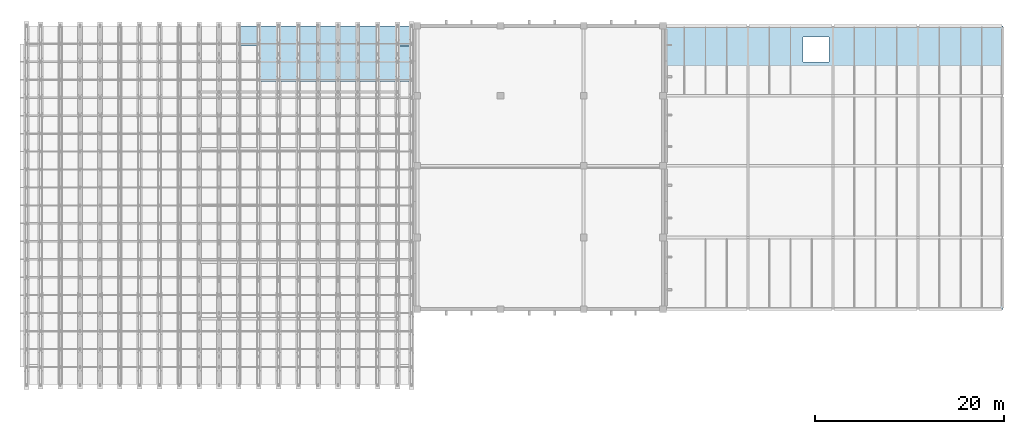
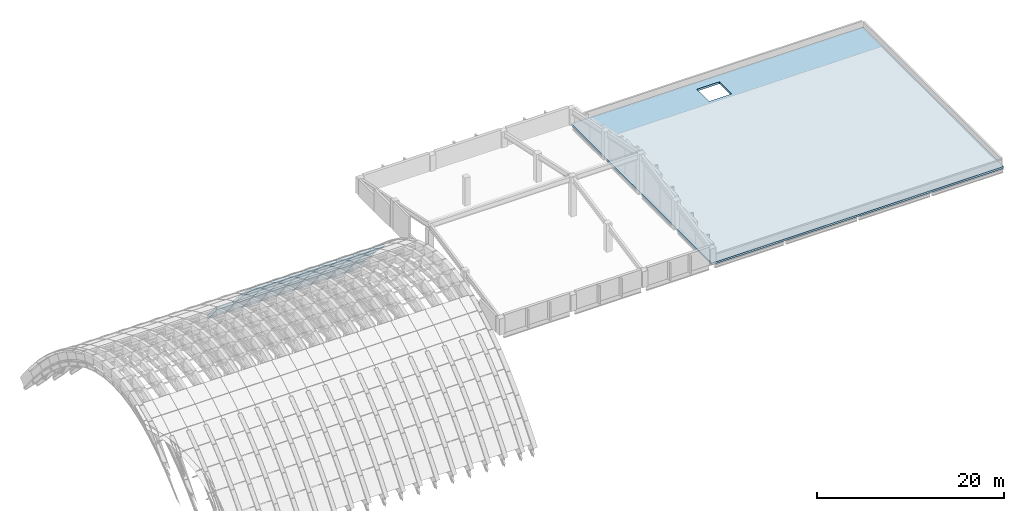
# One storey, part 57 of 67: 25 plates, 1 slab, 1 element without a shape of its own.
"""IFC4 building model written with IfcOpenShell, lengths in metres."""

import ifcopenshell
import ifcopenshell.guid

model = None  # the IFC model being written
_history = None  # IfcOwnerHistory: only IFC2X3 demands one
_inside = {}  # id of a spatial element -> (the spatial element, [elements in it])
_under = {}  # id of a project, library or spatial element -> (it, [spatial elements below it])
_declared = {}  # id of a project -> (the project, [libraries it declares])
_typed = {}  # id of a type object -> (the type object, [elements of that type])
_made_of = {}  # id of a material, layer set ... -> (it, [elements and type objects made of it])


def new_model(schema):
    """Start an empty IFC model of exactly this schema.

    Asked for "IFC4X3", IfcOpenShell would pick the latest addendum, in which some entities
    have other attributes; the version numbers below select the first issue.
    IFC2X3 requires an IfcOwnerHistory on every rooted entity: one is made here for all.
    """
    global model, _history
    if schema == "IFC4X3":
        model = ifcopenshell.file(schema_version=(4, 3, 0, 0))
    else:
        model = ifcopenshell.file(schema=schema)
    _inside.clear()
    _under.clear()
    _declared.clear()
    _typed.clear()
    _made_of.clear()
    _history = None
    if model.schema == "IFC2X3":
        org = make("IfcOrganization", Name="unknown")
        user = make(
            "IfcPersonAndOrganization",
            ThePerson=make("IfcPerson", FamilyName="unknown"),
            TheOrganization=org,
        )
        app = make(
            "IfcApplication",
            ApplicationDeveloper=org,
            Version="unknown",
            ApplicationFullName="unknown",
            ApplicationIdentifier="unknown",
        )
        _history = make(
            "IfcOwnerHistory",
            OwningUser=user,
            OwningApplication=app,
            ChangeAction="ADDED",
            CreationDate=0,
        )
    return model


def make(cls, **values):
    """One entity of the class cls with the attributes given. An attribute that is None is left unset."""
    return model.create_entity(
        cls, **{name: value for name, value in values.items() if value is not None}
    )


def rooted(cls, **values):
    """An entity with a GlobalId (a new one), such as an element, a storey or a relation."""
    return make(cls, GlobalId=ifcopenshell.guid.new(), OwnerHistory=_history, **values)


def si_unit(unit_type, name, prefix=None):
    """IfcSIUnit, for example si_unit("LENGTHUNIT", "METRE", prefix="MILLI")."""
    return make("IfcSIUnit", UnitType=unit_type, Prefix=prefix, Name=name)


def assignment(units):
    """IfcUnitAssignment: the units of a project."""
    return None if units is None else make("IfcUnitAssignment", Units=units)


def point(xyz):
    """IfcCartesianPoint."""
    return None if xyz is None else make("IfcCartesianPoint", Coordinates=xyz)


def direction(xyz):
    """IfcDirection."""
    return None if xyz is None else make("IfcDirection", DirectionRatios=xyz)


def frame(location, z_axis=None, x_axis=None):
    """IfcAxis2Placement3D, a coordinate frame: its origin and axes. An axis left out is left unset."""
    return make(
        "IfcAxis2Placement3D",
        Location=point(location),
        Axis=direction(z_axis),
        RefDirection=direction(x_axis),
    )


def origin():
    """The frame at (0, 0, 0) with its axes left unset."""
    return frame((0.0, 0.0, 0.0))


def place(relative_to, where):
    """IfcLocalPlacement: puts the frame where relative to a parent placement (None: the world)."""
    return make(
        "IfcLocalPlacement", PlacementRelTo=relative_to, RelativePlacement=where
    )


def context(
    kind, dimensions, precision=None, world=None, true_north=None, identifier=None
):
    """IfcGeometricRepresentationContext, for example the 3D "Model" context."""
    return make(
        "IfcGeometricRepresentationContext",
        ContextIdentifier=identifier,
        ContextType=kind,
        CoordinateSpaceDimension=dimensions,
        Precision=precision,
        WorldCoordinateSystem=world,
        TrueNorth=true_north,
    )


def subcontext(parent, identifier, kind, view, scale=None):
    """IfcGeometricRepresentationSubContext, for example "Body" below "Model"."""
    return make(
        "IfcGeometricRepresentationSubContext",
        ContextIdentifier=identifier,
        ContextType=kind,
        ParentContext=parent,
        TargetScale=scale,
        TargetView=view,
    )


def project(units=None, contexts=None):
    """IfcProject with its units and contexts."""
    return rooted(
        "IfcProject",
        Name="project",
        RepresentationContexts=contexts,
        UnitsInContext=assignment(units),
    )


def spatial(cls, under=None, at=None, **own):
    """A site, building, storey or space (cls), placed at a placement, below another one or the project."""
    s = rooted(cls, ObjectPlacement=at, **own)
    if under is not None:
        _under.setdefault(under.id(), (under, []))[1].append(s)
    return s


def polyline(points):
    """IfcPolyline through the points."""
    return make("IfcPolyline", Points=[point(p) for p in points])


def outline(outer, holes=None, kind="AREA"):
    """IfcArbitraryClosedProfileDef: a profile drawn as a closed curve; with holes, ...WithVoids."""
    if holes is None:
        return make("IfcArbitraryClosedProfileDef", ProfileType=kind, OuterCurve=outer)
    return make(
        "IfcArbitraryProfileDefWithVoids",
        ProfileType=kind,
        OuterCurve=outer,
        InnerCurves=holes,
    )


def extrude(swept, where, along, depth):
    """IfcExtrudedAreaSolid: the profile swept, set in the frame where, extruded along a direction by depth."""
    return make(
        "IfcExtrudedAreaSolid",
        SweptArea=swept,
        Position=where,
        ExtrudedDirection=direction(along),
        Depth=depth,
    )


def shape(context_of_items, identifier, shape_type, items):
    """IfcShapeRepresentation: the items that make up one representation, for example the "Body"."""
    return make(
        "IfcShapeRepresentation",
        ContextOfItems=context_of_items,
        RepresentationIdentifier=identifier,
        RepresentationType=shape_type,
        Items=items,
    )


def material(Name=None, Category=None):
    """IfcMaterial."""
    return make("IfcMaterial", Name=Name, Category=Category)


def layer(
    of_material, thickness, ventilated=None, Name=None, Category=None, Priority=None
):
    """IfcMaterialLayer: one layer of a wall or slab, of a material (None: an air gap)."""
    return make(
        "IfcMaterialLayer",
        Material=of_material,
        LayerThickness=thickness,
        IsVentilated=ventilated,
        Name=Name,
        Category=Category,
        Priority=Priority,
    )


def layer_set(layers, Name=None):
    """IfcMaterialLayerSet."""
    return make("IfcMaterialLayerSet", MaterialLayers=layers, LayerSetName=Name)


def made_of(thing, what):
    """Note that an element or type object is made of a material, layer set ...; save() writes the relation."""
    if what is not None:
        _made_of.setdefault(what.id(), (what, []))[1].append(thing)
    return thing


def type_object(cls, material=None, **own):
    """A type object (cls), such as IfcWallType, which elements share."""
    return made_of(rooted(cls, **own), material)


def element(
    cls,
    number,
    at=None,
    inside=None,
    cuts=None,
    type_object=None,
    material=None,
    context=None,
    identifier="Body",
    shape_type=None,
    held_by="IfcProductDefinitionShape",
    body=None,
    shapes=None,
    **own,
):
    """One element of the class cls, such as IfcWall. Its Tag is "e" and its number.

    at: its placement. inside: the storey or other place that contains it. cuts: it is an
    opening in that element (IfcRelVoidsElement). A single representation is given by context,
    identifier, shape_type and body (its items); several are given by shapes. held_by: the class
    of the entity that holds the representations. save() writes the other relations.
    """
    e = rooted(cls, Tag="e%d" % number, ObjectPlacement=at, **own)
    if body is not None:
        shapes = [shape(context, identifier, shape_type, body)]
    if shapes is not None:
        e.Representation = make(held_by, Representations=shapes)
    if inside is not None:
        _inside.setdefault(inside.id(), (inside, []))[1].append(e)
    if cuts is not None:
        rooted(
            "IfcRelVoidsElement", RelatingBuildingElement=cuts, RelatedOpeningElement=e
        )
    if type_object is not None:
        _typed.setdefault(type_object.id(), (type_object, []))[1].append(e)
    return made_of(e, material)


def aggregate(whole, parts):
    """IfcRelAggregates: a whole, such as a stair, and the parts it consists of."""
    return rooted("IfcRelAggregates", RelatingObject=whole, RelatedObjects=parts)


def save(model, path):
    """Write the relations noted so far, then the file.

    IfcRelAggregates (storeys below a building ...), IfcRelContainedInSpatialStructure (elements
    in a storey), IfcRelDefinesByType, IfcRelAssociatesMaterial and IfcRelDeclares: one each for
    every whole, place, type object, material and project.
    """
    for whole, parts in _under.values():
        aggregate(whole, parts)
    for where, things in _inside.values():
        rooted(
            "IfcRelContainedInSpatialStructure",
            RelatedElements=things,
            RelatingStructure=where,
        )
    for kind, things in _typed.values():
        rooted("IfcRelDefinesByType", RelatedObjects=things, RelatingType=kind)
    for what, things in _made_of.values():
        rooted("IfcRelAssociatesMaterial", RelatedObjects=things, RelatingMaterial=what)
    for by, libraries in _declared.values():
        rooted("IfcRelDeclares", RelatingContext=by, RelatedDefinitions=libraries)
    model.write(path)


model = new_model("IFC4")

# Units and contexts
model_context = context("Model", 3, precision=1e-05, world=origin(), true_north=direction((0.0, 1.0)))
body_context = subcontext(model_context, "Body", "Model", "MODEL_VIEW")
ifc_project = project(units=[si_unit("LENGTHUNIT", "METRE"), si_unit("AREAUNIT", "SQUARE_METRE"), si_unit("VOLUMEUNIT", "CUBIC_METRE"), si_unit("PLANEANGLEUNIT", "RADIAN"), si_unit("MASSUNIT", "GRAM", prefix="KILO")], contexts=[model_context])

# Site, building, storey
site_placement = place(None, origin())
site = spatial("IfcSite", under=ifc_project, at=site_placement, CompositionType="ELEMENT")
building_placement = place(site_placement, origin())
building = spatial("IfcBuilding", under=site, at=building_placement, Name="Shengluoqiao Park Theatre", CompositionType="ELEMENT")
storey_placement = place(building_placement, frame((0.0, 0.0, 28.60009765625)))
storey = spatial("IfcBuildingStorey", under=building, at=storey_placement, Name="Roof", CompositionType="ELEMENT", Elevation=28.60009765625)

# Roof, plates
ifc_material_1 = material(Name="Concrete C50", Category="concrete")
roof_type = type_object("IfcRoofType", Name="STR-ROOF-BARREL", PredefinedType="BARREL_ROOF", material=ifc_material_1)
roof_placement = place(storey_placement, origin())
roof = element("IfcRoof", 1, at=roof_placement, inside=storey, type_object=roof_type, Name="Main Theatre Barrel-Vault Thin-Shell Roof", PredefinedType="BARREL_ROOF")
ifc_layer_1 = layer(ifc_material_1, 0.340087890625, Name="Concrete C50")
ifc_layer_set_1 = layer_set([ifc_layer_1], Name="Concrete C50")
plate_type_1 = type_object("IfcPlateType", Name="STR-SHP-SP-01", PredefinedType="USERDEFINED", material=ifc_layer_set_1)
plate_1_placement = place(storey_placement, frame((67.5, 112.117919921875, -7.027587890625), z_axis=(0.0, 0.783285756394, 0.621661824331), x_axis=(1.0, 0.0, 0.0)))
plate_1 = element("IfcPlate", 2, at=plate_1_placement, type_object=plate_type_1, Name="Barrel-Vault Shell Panel B12-S20", ObjectType="SHELL PANEL", PredefinedType="USERDEFINED", context=body_context, shape_type="SweptSolid", body=[
    extrude(outline(polyline([(0.0, 0.0), (2.10009765625, 0.0), (2.10009765625, 2.998436768866167), (0.0, 2.998436768866167), (0.0, 0.0)])), origin(), (0.0, 0.0, -1.0), 0.340087890625),
])
plate_2_placement = place(storey_placement, frame((69.60009765625, 112.117919921875, -7.027587890625), z_axis=(0.0, 0.783285756394, 0.621661824331), x_axis=(1.0, 0.0, 0.0)))
plate_2 = element("IfcPlate", 3, at=plate_2_placement, type_object=plate_type_1, Name="Barrel-Vault Shell Panel B13-S20", ObjectType="SHELL PANEL", PredefinedType="USERDEFINED", context=body_context, shape_type="SweptSolid", body=[
    extrude(outline(polyline([(0.0, 0.0), (2.099853515625, 0.0), (2.099853515625, 2.9984367688661675), (0.0, 2.9984367688661675), (0.0, 0.0)])), origin(), (0.0, 0.0, -1.0), 0.340087890625),
])
plate_3_placement = place(storey_placement, frame((71.699951171875, 112.117919921875, -7.027587890625), z_axis=(0.0, 0.783285756394, 0.621661824331), x_axis=(1.0, 0.0, 0.0)))
plate_3 = element("IfcPlate", 4, at=plate_3_placement, type_object=plate_type_1, Name="Barrel-Vault Shell Panel B14-S20", ObjectType="SHELL PANEL", PredefinedType="USERDEFINED", context=body_context, shape_type="SweptSolid", body=[
    extrude(outline(polyline([(0.0, 0.0), (2.10009765625, 0.0), (2.10009765625, 2.998436768866167), (0.0, 2.998436768866167), (0.0, 0.0)])), origin(), (0.0, 0.0, -1.0), 0.340087890625),
])
plate_4_placement = place(storey_placement, frame((73.800048828125, 112.117919921875, -7.027587890625), z_axis=(0.0, 0.783285756394, 0.621661824331), x_axis=(1.0, 0.0, 0.0)))
plate_4 = element("IfcPlate", 5, at=plate_4_placement, type_object=plate_type_1, Name="Barrel-Vault Shell Panel B15-S20", ObjectType="SHELL PANEL", PredefinedType="USERDEFINED", context=body_context, shape_type="SweptSolid", body=[
    extrude(outline(polyline([(0.0, 0.0), (2.099853515625, 0.0), (2.099853515625, 2.9984367688661675), (0.0, 2.9984367688661675), (0.0, 0.0)])), origin(), (0.0, 0.0, -1.0), 0.340087890625),
])
plate_5_placement = place(storey_placement, frame((75.89990234375, 112.117919921875, -7.027587890625), z_axis=(0.0, 0.783285756394, 0.621661824331), x_axis=(1.0, 0.0, 0.0)))
plate_5 = element("IfcPlate", 6, at=plate_5_placement, type_object=plate_type_1, Name="Barrel-Vault Shell Panel B16-S20", ObjectType="SHELL PANEL", PredefinedType="USERDEFINED", context=body_context, shape_type="SweptSolid", body=[
    extrude(outline(polyline([(0.0, 0.0), (2.10009765625, 0.0), (2.10009765625, 2.998436768866167), (0.0, 2.998436768866167), (0.0, 0.0)])), origin(), (0.0, 0.0, -1.0), 0.340087890625),
])
plate_6_placement = place(storey_placement, frame((78.0, 112.117919921875, -7.027587890625), z_axis=(0.0, 0.783285756394, 0.621661824331), x_axis=(1.0, 0.0, 0.0)))
plate_6 = element("IfcPlate", 7, at=plate_6_placement, type_object=plate_type_1, Name="Barrel-Vault Shell Panel B17-S20", ObjectType="SHELL PANEL", PredefinedType="USERDEFINED", context=body_context, shape_type="SweptSolid", body=[
    extrude(outline(polyline([(0.0, 0.0), (2.10009765625, 0.0), (2.10009765625, 2.998436768866167), (0.0, 2.998436768866167), (0.0, 0.0)])), origin(), (0.0, 0.0, -1.0), 0.340087890625),
])
plate_7_placement = place(storey_placement, frame((80.10009765625, 112.117919921875, -7.027587890625), z_axis=(0.0, 0.783285756394, 0.621661824331), x_axis=(1.0, 0.0, 0.0)))
plate_7 = element("IfcPlate", 8, at=plate_7_placement, type_object=plate_type_1, Name="Barrel-Vault Shell Panel B18-S20", ObjectType="SHELL PANEL", PredefinedType="USERDEFINED", context=body_context, shape_type="SweptSolid", body=[
    extrude(outline(polyline([(0.0, 0.0), (2.099853515625, 0.0), (2.099853515625, 2.9984367688661675), (0.0, 2.9984367688661675), (0.0, 0.0)])), origin(), (0.0, 0.0, -1.0), 0.340087890625),
])
plate_8_placement = place(storey_placement, frame((82.199951171875, 112.117919921875, -7.027587890625), z_axis=(0.0, 0.783285756394, 0.621661824331), x_axis=(1.0, 0.0, 0.0)))
plate_8 = element("IfcPlate", 9, at=plate_8_placement, type_object=plate_type_1, Name="Barrel-Vault Shell Panel B19-S20", ObjectType="SHELL PANEL", PredefinedType="USERDEFINED", context=body_context, shape_type="SweptSolid", body=[
    extrude(outline(polyline([(0.0, 0.0), (2.10009765625, 0.0), (2.10009765625, 2.998436768866167), (0.0, 2.998436768866167), (0.0, 0.0)])), origin(), (0.0, 0.0, -1.0), 0.340087890625),
])
plate_9_placement = place(storey_placement, frame((84.300048828125, 112.117919921875, -7.027587890625), z_axis=(0.0, 0.783285756394, 0.621661824331), x_axis=(1.0, 0.0, 0.0)))
plate_9 = element("IfcPlate", 10, at=plate_9_placement, type_object=plate_type_1, Name="Barrel-Vault Shell Panel B20-S20", ObjectType="SHELL PANEL", PredefinedType="USERDEFINED", context=body_context, shape_type="SweptSolid", body=[
    extrude(outline(polyline([(0.0, 0.0), (1.52001953125, 0.0), (1.52001953125, 2.998436768866167), (0.0, 2.998436768866167), (0.0, 0.0)])), origin(), (0.0, 0.0, -1.0), 0.340087890625),
])
ifc_layer_2 = layer(ifc_material_1, 0.31005859375, Name="Concrete C50")
ifc_layer_set_2 = layer_set([ifc_layer_2], Name="Concrete C50")
plate_type_2 = type_object("IfcPlateType", Name="STR-SHP-SP-02", PredefinedType="USERDEFINED", material=ifc_layer_set_2)
plate_10_placement = place(storey_placement, frame((69.60009765625, 110.218017578125, -4.88330078125), z_axis=(0.0, 0.7480850773, 0.663602830857), x_axis=(1.0, 0.0, 0.0)))
plate_10 = element("IfcPlate", 11, at=plate_10_placement, type_object=plate_type_2, Name="Barrel-Vault Shell Panel B13-S19", ObjectType="SHELL PANEL", PredefinedType="USERDEFINED", context=body_context, shape_type="SweptSolid", body=[
    extrude(outline(polyline([(0.0, 0.0), (2.099853515625, 0.0), (2.099853515625, 2.8089296567168356), (0.0, 2.8089296567168356), (0.0, 0.0)])), origin(), (0.0, 0.0, -1.0), 0.31005859375),
])
plate_11_placement = place(storey_placement, frame((71.699951171875, 110.218017578125, -4.88330078125), z_axis=(0.0, 0.7480850773, 0.663602830857), x_axis=(1.0, 0.0, 0.0)))
plate_11 = element("IfcPlate", 12, at=plate_11_placement, type_object=plate_type_2, Name="Barrel-Vault Shell Panel B14-S19", ObjectType="SHELL PANEL", PredefinedType="USERDEFINED", context=body_context, shape_type="SweptSolid", body=[
    extrude(outline(polyline([(0.0, 0.0), (2.10009765625, 0.0), (2.10009765625, 2.808929656716836), (0.0, 2.808929656716836), (0.0, 0.0)])), origin(), (0.0, 0.0, -1.0), 0.31005859375),
])
plate_12_placement = place(storey_placement, frame((73.800048828125, 110.218017578125, -4.88330078125), z_axis=(0.0, 0.7480850773, 0.663602830857), x_axis=(1.0, 0.0, 0.0)))
plate_12 = element("IfcPlate", 13, at=plate_12_placement, type_object=plate_type_2, Name="Barrel-Vault Shell Panel B15-S19", ObjectType="SHELL PANEL", PredefinedType="USERDEFINED", context=body_context, shape_type="SweptSolid", body=[
    extrude(outline(polyline([(0.0, 0.0), (2.099853515625, 0.0), (2.099853515625, 2.8089296567168356), (0.0, 2.8089296567168356), (0.0, 0.0)])), origin(), (0.0, 0.0, -1.0), 0.31005859375),
])
plate_13_placement = place(storey_placement, frame((75.89990234375, 110.218017578125, -4.88330078125), z_axis=(0.0, 0.7480850773, 0.663602830857), x_axis=(1.0, 0.0, 0.0)))
plate_13 = element("IfcPlate", 14, at=plate_13_placement, type_object=plate_type_2, Name="Barrel-Vault Shell Panel B16-S19", ObjectType="SHELL PANEL", PredefinedType="USERDEFINED", context=body_context, shape_type="SweptSolid", body=[
    extrude(outline(polyline([(0.0, 0.0), (2.10009765625, 0.0), (2.10009765625, 2.808929656716836), (0.0, 2.808929656716836), (0.0, 0.0)])), origin(), (0.0, 0.0, -1.0), 0.31005859375),
])
plate_14_placement = place(storey_placement, frame((78.0, 110.218017578125, -4.88330078125), z_axis=(0.0, 0.7480850773, 0.663602830857), x_axis=(1.0, 0.0, 0.0)))
plate_14 = element("IfcPlate", 15, at=plate_14_placement, type_object=plate_type_2, Name="Barrel-Vault Shell Panel B17-S19", ObjectType="SHELL PANEL", PredefinedType="USERDEFINED", context=body_context, shape_type="SweptSolid", body=[
    extrude(outline(polyline([(0.0, 0.0), (2.10009765625, 0.0), (2.10009765625, 2.808929656716836), (0.0, 2.808929656716836), (0.0, 0.0)])), origin(), (0.0, 0.0, -1.0), 0.31005859375),
])
plate_15_placement = place(storey_placement, frame((80.10009765625, 110.218017578125, -4.88330078125), z_axis=(0.0, 0.7480850773, 0.663602830857), x_axis=(1.0, 0.0, 0.0)))
plate_15 = element("IfcPlate", 16, at=plate_15_placement, type_object=plate_type_2, Name="Barrel-Vault Shell Panel B18-S19", ObjectType="SHELL PANEL", PredefinedType="USERDEFINED", context=body_context, shape_type="SweptSolid", body=[
    extrude(outline(polyline([(0.0, 0.0), (2.099853515625, 0.0), (2.099853515625, 2.8089296567168356), (0.0, 2.8089296567168356), (0.0, 0.0)])), origin(), (0.0, 0.0, -1.0), 0.31005859375),
])
plate_16_placement = place(storey_placement, frame((82.199951171875, 110.218017578125, -4.88330078125), z_axis=(0.0, 0.7480850773, 0.663602830857), x_axis=(1.0, 0.0, 0.0)))
plate_16 = element("IfcPlate", 17, at=plate_16_placement, type_object=plate_type_2, Name="Barrel-Vault Shell Panel B19-S19", ObjectType="SHELL PANEL", PredefinedType="USERDEFINED", context=body_context, shape_type="SweptSolid", body=[
    extrude(outline(polyline([(0.0, 0.0), (2.10009765625, 0.0), (2.10009765625, 2.808929656716836), (0.0, 2.808929656716836), (0.0, 0.0)])), origin(), (0.0, 0.0, -1.0), 0.31005859375),
])
plate_17_placement = place(storey_placement, frame((84.300048828125, 110.218017578125, -4.88330078125), z_axis=(0.0, 0.7480850773, 0.663602830857), x_axis=(1.0, 0.0, 0.0)))
plate_17 = element("IfcPlate", 18, at=plate_17_placement, type_object=plate_type_2, Name="Barrel-Vault Shell Panel B20-S19", ObjectType="SHELL PANEL", PredefinedType="USERDEFINED", context=body_context, shape_type="SweptSolid", body=[
    extrude(outline(polyline([(0.0, 0.0), (1.719970703125, 0.0), (1.719970703125, 2.8089296567168365), (0.0, 2.8089296567168365), (0.0, 0.0)])), origin(), (0.0, 0.0, -1.0), 0.31005859375),
])
ifc_layer_3 = layer(ifc_material_1, 0.280029296875, Name="Concrete C50")
ifc_layer_set_3 = layer_set([ifc_layer_3], Name="Concrete C50")
plate_type_3 = type_object("IfcPlateType", Name="STR-SHP-SP-03", PredefinedType="USERDEFINED", material=ifc_layer_set_3)
plate_18_placement = place(storey_placement, frame((69.60009765625, 108.318115234375, -2.99072265625), z_axis=(0.0, 0.705293636194, 0.708915288835), x_axis=(1.0, 0.0, 0.0)))
plate_18 = element("IfcPlate", 19, at=plate_18_placement, type_object=plate_type_3, Name="Barrel-Vault Shell Panel B13-S18", ObjectType="SHELL PANEL", PredefinedType="USERDEFINED", context=body_context, shape_type="SweptSolid", body=[
    extrude(outline(polyline([(0.0, 0.0), (2.099853515625, 0.0), (2.099853515625, 2.629044062954365), (0.0, 2.629044062954365), (0.0, 0.0)])), origin(), (0.0, 0.0, -1.0), 0.280029296875),
])
plate_19_placement = place(storey_placement, frame((71.699951171875, 108.318115234375, -2.99072265625), z_axis=(0.0, 0.705293636194, 0.708915288835), x_axis=(1.0, 0.0, 0.0)))
plate_19 = element("IfcPlate", 20, at=plate_19_placement, type_object=plate_type_3, Name="Barrel-Vault Shell Panel B14-S18", ObjectType="SHELL PANEL", PredefinedType="USERDEFINED", context=body_context, shape_type="SweptSolid", body=[
    extrude(outline(polyline([(0.0, 0.0), (2.10009765625, 0.0), (2.10009765625, 2.629044062954365), (0.0, 2.629044062954365), (0.0, 0.0)])), origin(), (0.0, 0.0, -1.0), 0.280029296875),
])
plate_20_placement = place(storey_placement, frame((73.800048828125, 108.318115234375, -2.99072265625), z_axis=(0.0, 0.705293636194, 0.708915288835), x_axis=(1.0, 0.0, 0.0)))
plate_20 = element("IfcPlate", 21, at=plate_20_placement, type_object=plate_type_3, Name="Barrel-Vault Shell Panel B15-S18", ObjectType="SHELL PANEL", PredefinedType="USERDEFINED", context=body_context, shape_type="SweptSolid", body=[
    extrude(outline(polyline([(0.0, 0.0), (2.099853515625, 0.0), (2.099853515625, 2.629044062954365), (0.0, 2.629044062954365), (0.0, 0.0)])), origin(), (0.0, 0.0, -1.0), 0.280029296875),
])
plate_21_placement = place(storey_placement, frame((75.89990234375, 108.318115234375, -2.99072265625), z_axis=(0.0, 0.705293636194, 0.708915288835), x_axis=(1.0, 0.0, 0.0)))
plate_21 = element("IfcPlate", 22, at=plate_21_placement, type_object=plate_type_3, Name="Barrel-Vault Shell Panel B16-S18", ObjectType="SHELL PANEL", PredefinedType="USERDEFINED", context=body_context, shape_type="SweptSolid", body=[
    extrude(outline(polyline([(0.0, 0.0), (2.10009765625, 0.0), (2.10009765625, 2.629044062954365), (0.0, 2.629044062954365), (0.0, 0.0)])), origin(), (0.0, 0.0, -1.0), 0.280029296875),
])
plate_22_placement = place(storey_placement, frame((78.0, 108.318115234375, -2.99072265625), z_axis=(0.0, 0.705293636194, 0.708915288835), x_axis=(1.0, 0.0, 0.0)))
plate_22 = element("IfcPlate", 23, at=plate_22_placement, type_object=plate_type_3, Name="Barrel-Vault Shell Panel B17-S18", ObjectType="SHELL PANEL", PredefinedType="USERDEFINED", context=body_context, shape_type="SweptSolid", body=[
    extrude(outline(polyline([(0.0, 0.0), (2.10009765625, 0.0), (2.10009765625, 2.629044062954365), (0.0, 2.629044062954365), (0.0, 0.0)])), origin(), (0.0, 0.0, -1.0), 0.280029296875),
])
plate_23_placement = place(storey_placement, frame((80.10009765625, 108.318115234375, -2.99072265625), z_axis=(0.0, 0.705293636194, 0.708915288835), x_axis=(1.0, 0.0, 0.0)))
plate_23 = element("IfcPlate", 24, at=plate_23_placement, type_object=plate_type_3, Name="Barrel-Vault Shell Panel B18-S18", ObjectType="SHELL PANEL", PredefinedType="USERDEFINED", context=body_context, shape_type="SweptSolid", body=[
    extrude(outline(polyline([(0.0, 0.0), (2.099853515625, 0.0), (2.099853515625, 2.629044062954365), (0.0, 2.629044062954365), (0.0, 0.0)])), origin(), (0.0, 0.0, -1.0), 0.280029296875),
])
plate_24_placement = place(storey_placement, frame((82.199951171875, 108.318115234375, -2.99072265625), z_axis=(0.0, 0.705293636194, 0.708915288835), x_axis=(1.0, 0.0, 0.0)))
plate_24 = element("IfcPlate", 25, at=plate_24_placement, type_object=plate_type_3, Name="Barrel-Vault Shell Panel B19-S18", ObjectType="SHELL PANEL", PredefinedType="USERDEFINED", context=body_context, shape_type="SweptSolid", body=[
    extrude(outline(polyline([(0.0, 0.0), (2.10009765625, 0.0), (2.10009765625, 2.629044062954365), (0.0, 2.629044062954365), (0.0, 0.0)])), origin(), (0.0, 0.0, -1.0), 0.280029296875),
])
plate_25_placement = place(storey_placement, frame((84.300048828125, 108.318115234375, -2.99072265625), z_axis=(0.0, 0.705293636194, 0.708915288835), x_axis=(1.0, 0.0, 0.0)))
plate_25 = element("IfcPlate", 26, at=plate_25_placement, type_object=plate_type_3, Name="Barrel-Vault Shell Panel B20-S18", ObjectType="SHELL PANEL", PredefinedType="USERDEFINED", context=body_context, shape_type="SweptSolid", body=[
    extrude(outline(polyline([(0.0, 0.0), (1.719970703125, 0.0), (1.719970703125, 2.6290440629543657), (0.0, 2.6290440629543657), (0.0, 0.0)])), origin(), (0.0, 0.0, -1.0), 0.280029296875),
])
aggregate(roof, [plate_1, plate_18, plate_10, plate_2, plate_19, plate_11, plate_3, plate_20, plate_12, plate_4, plate_21, plate_13, plate_5, plate_22, plate_14, plate_6, plate_23, plate_15, plate_7, plate_24, plate_16, plate_8, plate_25, plate_17, plate_9])

# Slab
ifc_material_2 = material(Name="Concrete C40", Category="concrete")
ifc_layer_4 = layer(ifc_material_2, 0.25, Name="Concrete C40")
ifc_layer_set_4 = layer_set([ifc_layer_4], Name="Concrete C40")
slab_type = type_object("IfcSlabType", Name="STR-SLB-RF250", PredefinedType="ROOF", material=ifc_layer_set_4)
slab_placement = place(storey_placement, frame((0.0, 0.0, -0.25)))
element("IfcSlab", 27, at=slab_placement, inside=storey, type_object=slab_type, Name="V6 Backstage Main Roof Slab", PredefinedType="ROOF", context=body_context, shape_type="SweptSolid", body=[
    extrude(outline(polyline([(112.39990234375, 84.0), (148.39990234375, 84.0), (148.39990234375, 114.0), (112.39990234375, 114.0), (112.39990234375, 84.0)]), holes=[polyline([(127.199951171875, 110.199951171875), (130.0, 110.199951171875), (130.0, 112.800048828125), (127.199951171875, 112.800048828125), (127.199951171875, 110.199951171875)])]), origin(), (0.0, 0.0, 1.0), 0.25),
])

save(model, "model.ifc")
